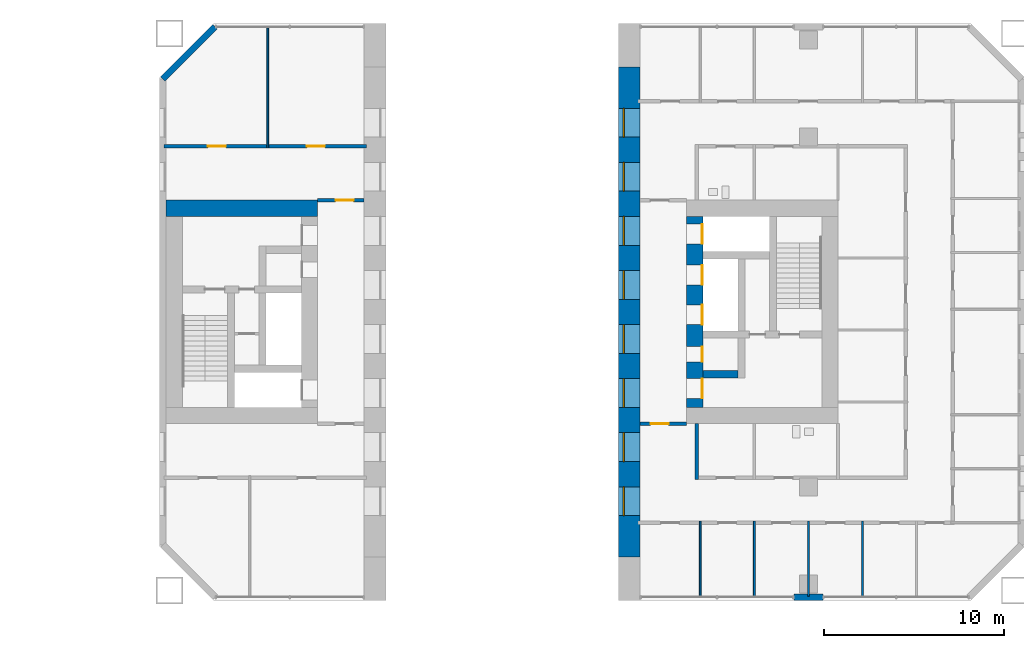
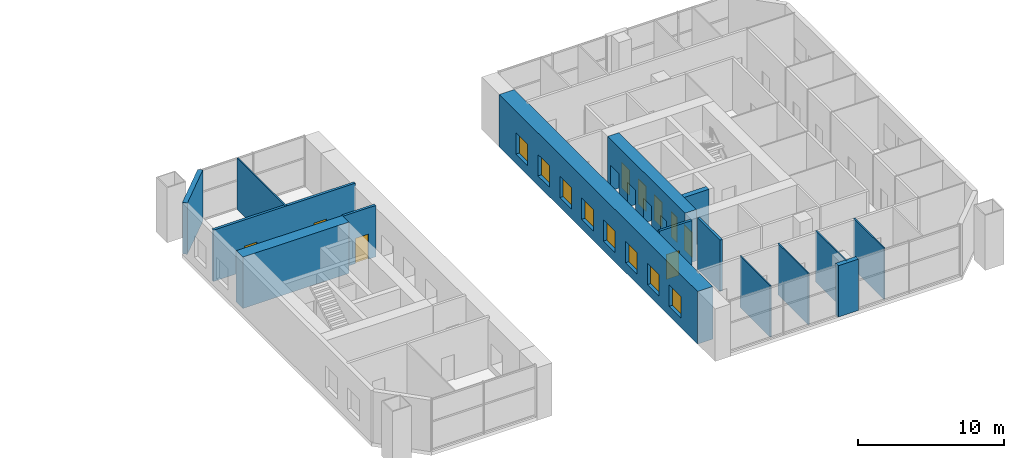
# One storey, part 14 of 19: 15 walls, 9 doors, 8 windows, 17 openings.
"""IFC4 building model written with IfcOpenShell, lengths in metres."""

from ifc_helpers import new_model, si_unit, direction, frame, frame_2d, origin, place, context, subcontext, project, spatial, rectangle, extrude, material, layer, layer_set, type_object, element, fill, save


model = new_model("IFC4")

# Units and contexts
model_context = context("Model", 3, precision=1e-05, world=origin(), true_north=direction((0.0, 1.0)))
body_context = subcontext(model_context, "Body", "Model", "MODEL_VIEW")
ifc_project = project(units=[si_unit("LENGTHUNIT", "METRE"), si_unit("AREAUNIT", "SQUARE_METRE"), si_unit("VOLUMEUNIT", "CUBIC_METRE"), si_unit("PLANEANGLEUNIT", "RADIAN"), si_unit("MASSUNIT", "GRAM", prefix="KILO")], contexts=[model_context])

# Site, building, storey
site_placement = place(None, origin())
site = spatial("IfcSite", under=ifc_project, at=site_placement, CompositionType="ELEMENT")
building_placement = place(site_placement, origin())
building = spatial("IfcBuilding", under=site, at=building_placement, Name="Tuart Gate Housing", CompositionType="ELEMENT")
storey_placement = place(building_placement, frame((0.0, 0.0, 10.10009765625)))
storey = spatial("IfcBuildingStorey", under=building, at=storey_placement, Name="L02", CompositionType="ELEMENT", Elevation=10.10009765625)

# Walls
ifc_material_1 = material(Name="Brick", Category="masonry")
ifc_layer_1 = layer(ifc_material_1, 0.360107421875)
ifc_layer_set_1 = layer_set([ifc_layer_1], Name="Brick pier and spandrel wall 360")
wall_type_1 = type_object("IfcWallType", Name="Brick pier and spandrel wall 360", PredefinedType="STANDARD", material=ifc_layer_set_1)
wall_1_placement = place(storey_placement, frame((166.199951171875, 54.179931640625, 0.0), z_axis=(0.0, 0.0, 1.0), x_axis=(1.0, 0.0, 0.0)))
element("IfcWall", 1, at=wall_1_placement, inside=storey, type_object=wall_type_1, Name="External wall B-S L02", PredefinedType="STANDARD", context=body_context, shape_type="SweptSolid", body=[
    extrude(rectangle(XDim=1.60009765625, YDim=0.360107421875, at=frame_2d((0.800048828125, 0.0))), origin(), (0.0, 0.0, 1.0), 4.2998046875),
])
wall_2_placement = place(storey_placement, frame((134.07470703125, 85.820068359375, 0.0), z_axis=(0.0, 0.0, 1.0), x_axis=(-0.707106781187, -0.707106781187, 0.0)))
element("IfcWall", 2, at=wall_2_placement, inside=storey, type_object=wall_type_1, Name="External wall B-NW L02", PredefinedType="STANDARD", context=body_context, shape_type="SweptSolid", body=[
    extrude(rectangle(XDim=4.09375, YDim=0.360107421875, at=frame_2d((2.046875, 0.0))), origin(), (0.0, 0.0, 1.0), 4.2998046875),
])
ifc_material_2 = material(Name="Concrete C60", Category="concrete")
ifc_layer_2 = layer(ifc_material_2, 0.39990234375)
ifc_layer_set_2 = layer_set([ifc_layer_2], Name="Core wall 400 C60")
wall_type_2 = type_object("IfcWallType", Name="Core wall 400 C60", PredefinedType="SHEAR", material=ifc_layer_set_2)
wall_3_placement = place(storey_placement, frame((161.139892578125, 66.550048828125, 0.0), z_axis=(0.0, 0.0, 1.0), x_axis=(1.0, 0.0, 0.0)))
element("IfcWall", 3, at=wall_3_placement, inside=storey, type_object=wall_type_2, Name="Core wall BK.3", PredefinedType="SHEAR", context=body_context, shape_type="SweptSolid", body=[
    extrude(rectangle(XDim=1.9501953125, YDim=0.39990234375, at=frame_2d((0.97509765625, 0.0))), origin(), (0.0, 0.0, 1.0), 4.2998046875),
])
ifc_material_3 = material(Name="Concrete C60", Category="concrete")
ifc_layer_3 = layer(ifc_material_3, 0.89990234375)
ifc_layer_set_3 = layer_set([ifc_layer_3], Name="Core wall 900 C60")
wall_type_3 = type_object("IfcWallType", Name="Core wall 900 C60", PredefinedType="SHEAR", material=ifc_layer_set_3)
wall_4_placement = place(storey_placement, frame((139.760009765625, 75.75, 0.0), z_axis=(0.0, 0.0, 1.0), x_axis=(-1.0, 0.0, 0.0)))
element("IfcWall", 4, at=wall_4_placement, inside=storey, type_object=wall_type_3, Name="Core wall BG north", PredefinedType="SHEAR", context=body_context, shape_type="SweptSolid", body=[
    extrude(rectangle(XDim=8.39990234375, YDim=0.89990234375, at=frame_2d((4.199951171875, 0.0))), origin(), (0.0, 0.0, 1.0), 4.2998046875),
])

# Wall, openings, doors
wall_5_placement = place(storey_placement, frame((160.68994140625, 75.300048828125, 0.0), z_axis=(0.0, 0.0, 1.0), x_axis=(0.0, -1.0, 0.0)))
wall_5 = element("IfcWall", 5, at=wall_5_placement, inside=storey, type_object=wall_type_3, Name="Core wall BK front", PredefinedType="SHEAR", context=body_context, shape_type="SweptSolid", body=[
    extrude(rectangle(XDim=10.60009765625, YDim=0.89990234375, at=frame_2d((5.300048828125, 0.0))), origin(), (0.0, 0.0, 1.0), 4.2998046875),
])
opening_1_placement = place(wall_5_placement, frame((0.425048828125, 0.0, 0.0)))
opening_1 = element("IfcOpeningElement", 6, at=opening_1_placement, cuts=wall_5, Name="Opening LD-FB2", PredefinedType="OPENING", context=body_context, shape_type="SweptSolid", body=[
    extrude(rectangle(XDim=1.10009765625, YDim=2.10009765625, at=frame_2d((0.550048828125, 1.050048828125))), frame((0.0, 0.4599609375, 0.0), z_axis=(0.0, -1.0, 0.0), x_axis=(1.0, 0.0, 0.0)), (0.0, 0.0, 1.0), 0.919921875),
])
opening_2_placement = place(wall_5_placement, frame((2.699951171875, 0.0, 0.0)))
opening_2 = element("IfcOpeningElement", 7, at=opening_2_placement, cuts=wall_5, Name="Opening LD-LB3", PredefinedType="OPENING", context=body_context, shape_type="SweptSolid", body=[
    extrude(rectangle(XDim=1.10009765625, YDim=2.10009765625, at=frame_2d((0.550048828125, 1.050048828125))), frame((0.0, 0.4599609375, 0.0), z_axis=(0.0, -1.0, 0.0), x_axis=(1.0, 0.0, 0.0)), (0.0, 0.0, 1.0), 0.919921875),
])
opening_3_placement = place(wall_5_placement, frame((4.89990234375, 0.0, 0.0)))
opening_3 = element("IfcOpeningElement", 8, at=opening_3_placement, cuts=wall_5, Name="Opening LD-LB4", PredefinedType="OPENING", context=body_context, shape_type="SweptSolid", body=[
    extrude(rectangle(XDim=1.10009765625, YDim=2.10009765625, at=frame_2d((0.550048828125, 1.050048828125))), frame((0.0, 0.4599609375, 0.0), z_axis=(0.0, -1.0, 0.0), x_axis=(1.0, 0.0, 0.0)), (0.0, 0.0, 1.0), 0.919921875),
])
opening_4_placement = place(wall_5_placement, frame((9.0, 0.0, 0.0)))
opening_4 = element("IfcOpeningElement", 9, at=opening_4_placement, cuts=wall_5, Name="Opening D3218", PredefinedType="OPENING", context=body_context, shape_type="SweptSolid", body=[
    extrude(rectangle(XDim=1.10009765625, YDim=2.10009765625, at=frame_2d((0.550048828125, 1.050048828125))), frame((0.0, 0.4599609375, 0.0), z_axis=(0.0, -1.0, 0.0), x_axis=(1.0, 0.0, 0.0)), (0.0, 0.0, 1.0), 0.919921875),
])
opening_5_placement = place(wall_5_placement, frame((7.22509765625, 0.0, 0.0)))
opening_5 = element("IfcOpeningElement", 10, at=opening_5_placement, cuts=wall_5, Name="Opening D3219", PredefinedType="OPENING", context=body_context, shape_type="SweptSolid", body=[
    extrude(rectangle(XDim=0.85009765625, YDim=2.10009765625, at=frame_2d((0.425048828125, 1.050048828125))), frame((0.0, 0.4599609375, 0.0), z_axis=(0.0, -1.0, 0.0), x_axis=(1.0, 0.0, 0.0)), (0.0, 0.0, 1.0), 0.919921875),
])
ifc_material_4 = material(Name="Stainless steel", Category="steel")
door_type_1 = type_object("IfcDoorType", Name="Landing door 1100 x 2100", OperationType="DOUBLE_DOOR_SLIDING", PredefinedType="DOOR", material=ifc_material_4)
door_1_placement = place(opening_1_placement, origin())
door_1 = element("IfcDoor", 11, at=door_1_placement, inside=storey, type_object=door_type_1, Name="Lift landing door FB2", OperationType="DOUBLE_DOOR_SLIDING", OverallHeight=2.10009765625, OverallWidth=1.10009765625, PredefinedType="DOOR", context=body_context, shape_type="SweptSolid", body=[
    extrude(rectangle(XDim=1.10009765625, YDim=2.10009765625, at=frame_2d((0.550048828125, 1.050048828125))), frame((0.0, 0.43505859375, 0.0), z_axis=(0.0, -1.0, 0.0), x_axis=(1.0, 0.0, 0.0)), (0.0, 0.0, 1.0), 0.050048828125),
])
fill(opening_1, door_1)
door_2_placement = place(opening_2_placement, origin())
door_2 = element("IfcDoor", 12, at=door_2_placement, inside=storey, type_object=door_type_1, Name="Lift landing door LB3", OperationType="DOUBLE_DOOR_SLIDING", OverallHeight=2.10009765625, OverallWidth=1.10009765625, PredefinedType="DOOR", context=body_context, shape_type="SweptSolid", body=[
    extrude(rectangle(XDim=1.10009765625, YDim=2.10009765625, at=frame_2d((0.550048828125, 1.050048828125))), frame((0.0, 0.43505859375, 0.0), z_axis=(0.0, -1.0, 0.0), x_axis=(1.0, 0.0, 0.0)), (0.0, 0.0, 1.0), 0.050048828125),
])
fill(opening_2, door_2)
door_3_placement = place(opening_3_placement, origin())
door_3 = element("IfcDoor", 13, at=door_3_placement, inside=storey, type_object=door_type_1, Name="Lift landing door LB4", OperationType="DOUBLE_DOOR_SLIDING", OverallHeight=2.10009765625, OverallWidth=1.10009765625, PredefinedType="DOOR", context=body_context, shape_type="SweptSolid", body=[
    extrude(rectangle(XDim=1.10009765625, YDim=2.10009765625, at=frame_2d((0.550048828125, 1.050048828125))), frame((0.0, 0.43505859375, 0.0), z_axis=(0.0, -1.0, 0.0), x_axis=(1.0, 0.0, 0.0)), (0.0, 0.0, 1.0), 0.050048828125),
])
fill(opening_3, door_3)
ifc_material_5 = material(Name="Steel fire door", Category="steel")
door_type_2 = type_object("IfcDoorType", Name="Lobby door 1100 x 2100", OperationType="SINGLE_SWING_LEFT", PredefinedType="DOOR", material=ifc_material_5)
door_4_placement = place(opening_4_placement, origin())
door_4 = element("IfcDoor", 14, at=door_4_placement, inside=storey, type_object=door_type_2, Name="Lobby entry door BK.EN", OperationType="SINGLE_SWING_LEFT", OverallHeight=2.10009765625, OverallWidth=1.10009765625, PredefinedType="DOOR", context=body_context, shape_type="SweptSolid", body=[
    extrude(rectangle(XDim=1.10009765625, YDim=2.10009765625, at=frame_2d((0.550048828125, 1.050048828125))), frame((0.0, 0.43505859375, 0.0), z_axis=(0.0, -1.0, 0.0), x_axis=(1.0, 0.0, 0.0)), (0.0, 0.0, 1.0), 0.050048828125),
])
fill(opening_4, door_4)
ifc_material_6 = material(Name="Steel fire door", Category="steel")
door_type_3 = type_object("IfcDoorType", Name="Service door 850 x 2100", OperationType="SINGLE_SWING_LEFT", PredefinedType="DOOR", material=ifc_material_6)
door_5_placement = place(opening_5_placement, origin())
door_5 = element("IfcDoor", 15, at=door_5_placement, inside=storey, type_object=door_type_3, Name="Service room door BK.T1", OperationType="SINGLE_SWING_LEFT", OverallHeight=2.10009765625, OverallWidth=0.85009765625, PredefinedType="DOOR", context=body_context, shape_type="SweptSolid", body=[
    extrude(rectangle(XDim=0.85009765625, YDim=2.10009765625, at=frame_2d((0.425048828125, 1.050048828125))), frame((0.0, 0.43505859375, 0.0), z_axis=(0.0, -1.0, 0.0), x_axis=(1.0, 0.0, 0.0)), (0.0, 0.0, 1.0), 0.050048828125),
])
fill(opening_5, door_5)

ifc_material_7 = material(Name="Concrete masonry 15 MPa", Category="masonry")
ifc_layer_4 = layer(ifc_material_7, 0.199951171875)
ifc_layer_set_4 = layer_set([ifc_layer_4], Name="Corridor wall masonry 200")
wall_type_4 = type_object("IfcWallType", Name="Corridor wall masonry 200", PredefinedType="PARTITIONING", material=ifc_layer_set_4)
wall_6_placement = place(storey_placement, frame((131.239990234375, 79.199951171875, 0.0), z_axis=(0.0, 0.0, 1.0), x_axis=(1.0, 0.0, 0.0)))
wall_6 = element("IfcWall", 16, at=wall_6_placement, inside=storey, type_object=wall_type_4, Name="Corridor wall masonry 200", PredefinedType="PARTITIONING", context=body_context, shape_type="SweptSolid", body=[
    extrude(rectangle(XDim=11.22998046875, YDim=0.199951171875, at=frame_2d((5.614990234375, 0.0))), origin(), (0.0, 0.0, 1.0), 4.2998046875),
])
opening_6_placement = place(wall_6_placement, frame((2.43994140625, 0.0, 0.0)))
opening_6 = element("IfcOpeningElement", 17, at=opening_6_placement, cuts=wall_6, Name="Opening D3208", PredefinedType="OPENING", context=body_context, shape_type="SweptSolid", body=[
    extrude(rectangle(XDim=1.0, YDim=2.10009765625, at=frame_2d((0.5, 1.050048828125))), frame((0.0, 0.10986328125, 0.0), z_axis=(0.0, -1.0, 0.0), x_axis=(1.0, 0.0, 0.0)), (0.0, 0.0, 1.0), 0.219970703125),
])
opening_7_placement = place(wall_6_placement, frame((7.93505859375, 0.0, 0.0)))
opening_7 = element("IfcOpeningElement", 18, at=opening_7_placement, cuts=wall_6, Name="Opening D3209", PredefinedType="OPENING", context=body_context, shape_type="SweptSolid", body=[
    extrude(rectangle(XDim=1.0, YDim=2.10009765625, at=frame_2d((0.5, 1.050048828125))), frame((0.0, 0.10986328125, 0.0), z_axis=(0.0, -1.0, 0.0), x_axis=(1.0, 0.0, 0.0)), (0.0, 0.0, 1.0), 0.219970703125),
])
ifc_material_8 = material(Name="Timber door leaf in steel frame", Category="steel")
door_type_4 = type_object("IfcDoorType", Name="Fire door 1000", OperationType="SINGLE_SWING_LEFT", PredefinedType="DOOR", material=ifc_material_8)
door_6_placement = place(opening_6_placement, origin())
door_6 = element("IfcDoor", 19, at=door_6_placement, inside=storey, type_object=door_type_4, Name="Fire door 1000", OperationType="SINGLE_SWING_LEFT", OverallHeight=2.10009765625, OverallWidth=1.0, PredefinedType="DOOR", context=body_context, shape_type="SweptSolid", body=[
    extrude(rectangle(XDim=1.0, YDim=2.10009765625, at=frame_2d((0.5, 1.050048828125))), frame((0.0, 0.02490234375, 0.0), z_axis=(0.0, -1.0, 0.0), x_axis=(1.0, 0.0, 0.0)), (0.0, 0.0, 1.0), 0.050048828125),
])
fill(opening_6, door_6)
door_7_placement = place(opening_7_placement, origin())
door_7 = element("IfcDoor", 20, at=door_7_placement, inside=storey, type_object=door_type_4, Name="Fire door 1000", OperationType="SINGLE_SWING_LEFT", OverallHeight=2.10009765625, OverallWidth=1.0, PredefinedType="DOOR", context=body_context, shape_type="SweptSolid", body=[
    extrude(rectangle(XDim=1.0, YDim=2.10009765625, at=frame_2d((0.5, 1.050048828125))), frame((0.0, 0.02490234375, 0.0), z_axis=(0.0, -1.0, 0.0), x_axis=(1.0, 0.0, 0.0)), (0.0, 0.0, 1.0), 0.050048828125),
])
fill(opening_7, door_7)

# Wall
wall_7_placement = place(storey_placement, frame((160.800048828125, 60.699951171875, 0.0), z_axis=(0.0, 0.0, 1.0), x_axis=(0.0, 1.0, 0.0)))
element("IfcWall", 21, at=wall_7_placement, inside=storey, type_object=wall_type_4, Name="Corridor wall masonry 200", PredefinedType="PARTITIONING", context=body_context, shape_type="SweptSolid", body=[
    extrude(rectangle(XDim=3.10009765625, YDim=0.199951171875, at=frame_2d((1.550048828125, 0.0))), origin(), (0.0, 0.0, 1.0), 4.2998046875),
])

# Wall, opening, door
ifc_material_9 = material(Name="Concrete masonry 15 MPa", Category="masonry")
ifc_layer_5 = layer(ifc_material_9, 0.199951171875)
ifc_layer_set_5 = layer_set([ifc_layer_5], Name="Enclosure wall masonry 200")
wall_type_5 = type_object("IfcWallType", Name="Enclosure wall masonry 200", PredefinedType="PARTITIONING", material=ifc_layer_set_5)
wall_8_placement = place(storey_placement, frame((157.64990234375, 63.800048828125, 0.0), z_axis=(0.0, 0.0, 1.0), x_axis=(1.0, 0.0, 0.0)))
wall_8 = element("IfcWall", 22, at=wall_8_placement, inside=storey, type_object=wall_type_5, Name="Enclosure wall masonry 200", PredefinedType="PARTITIONING", context=body_context, shape_type="SweptSolid", body=[
    extrude(rectangle(XDim=2.590087890625, YDim=0.199951171875, at=frame_2d((1.294921875, 0.0))), origin(), (0.0, 0.0, 1.0), 4.2998046875),
])
opening_8_placement = place(wall_8_placement, frame((0.590087890625, 0.0, 0.0)))
opening_8 = element("IfcOpeningElement", 23, at=opening_8_placement, cuts=wall_8, Name="Opening D3234", PredefinedType="OPENING", context=body_context, shape_type="SweptSolid", body=[
    extrude(rectangle(XDim=1.0, YDim=2.10009765625, at=frame_2d((0.5, 1.050048828125))), frame((0.0, 0.10986328125, 0.0), z_axis=(0.0, -1.0, 0.0), x_axis=(1.0, 0.0, 0.0)), (0.0, 0.0, 1.0), 0.219970703125),
])
ifc_material_10 = material(Name="Timber door leaf in steel frame", Category="steel")
door_type_5 = type_object("IfcDoorType", Name="Lobby door 1000 RH", OperationType="SINGLE_SWING_RIGHT", PredefinedType="DOOR", material=ifc_material_10)
door_8_placement = place(opening_8_placement, frame((1.0, 0.0, 0.0), z_axis=(0.0, 0.0, 1.0), x_axis=(-1.0, 0.0, 0.0)))
door_8 = element("IfcDoor", 24, at=door_8_placement, inside=storey, type_object=door_type_5, Name="Lobby door 1000", OperationType="SINGLE_SWING_RIGHT", OverallHeight=2.10009765625, OverallWidth=1.0, PredefinedType="DOOR", context=body_context, shape_type="SweptSolid", body=[
    extrude(rectangle(XDim=1.0, YDim=2.10009765625, at=frame_2d((0.5, 1.050048828125))), frame((0.0, 0.025146484375, 0.0), z_axis=(0.0, -1.0, 0.0), x_axis=(1.0, 0.0, 0.0)), (0.0, 0.0, 1.0), 0.050048828125),
])
fill(opening_8, door_8)

wall_9_placement = place(storey_placement, frame((139.760009765625, 76.199951171875, 0.0), z_axis=(0.0, 0.0, 1.0), x_axis=(1.0, 0.0, 0.0)))
wall_9 = element("IfcWall", 25, at=wall_9_placement, inside=storey, type_object=wall_type_5, Name="Enclosure wall masonry 200", PredefinedType="PARTITIONING", context=body_context, shape_type="SweptSolid", body=[
    extrude(rectangle(XDim=2.590087890625, YDim=0.199951171875, at=frame_2d((1.294921875, 0.0))), origin(), (0.0, 0.0, 1.0), 4.2998046875),
])
opening_9_placement = place(wall_9_placement, frame((1.0, 0.0, 0.0)))
opening_9 = element("IfcOpeningElement", 26, at=opening_9_placement, cuts=wall_9, Name="Opening D3212", PredefinedType="OPENING", context=body_context, shape_type="SweptSolid", body=[
    extrude(rectangle(XDim=1.0, YDim=2.10009765625, at=frame_2d((0.5, 1.050048828125))), frame((0.0, 0.10986328125, 0.0), z_axis=(0.0, -1.0, 0.0), x_axis=(1.0, 0.0, 0.0)), (0.0, 0.0, 1.0), 0.219970703125),
])
ifc_material_11 = material(Name="Timber door leaf in steel frame", Category="steel")
door_type_6 = type_object("IfcDoorType", Name="Lobby door 1000", OperationType="SINGLE_SWING_LEFT", PredefinedType="DOOR", material=ifc_material_11)
door_9_placement = place(opening_9_placement, frame((1.0, 0.0, 0.0), z_axis=(0.0, 0.0, 1.0), x_axis=(-1.0, 0.0, 0.0)))
door_9 = element("IfcDoor", 27, at=door_9_placement, inside=storey, type_object=door_type_6, Name="Lobby door 1000", OperationType="SINGLE_SWING_LEFT", OverallHeight=2.10009765625, OverallWidth=1.0, PredefinedType="DOOR", context=body_context, shape_type="SweptSolid", body=[
    extrude(rectangle(XDim=1.0, YDim=2.10009765625, at=frame_2d((0.5, 1.050048828125))), frame((0.0, 0.025146484375, 0.0), z_axis=(0.0, -1.0, 0.0), x_axis=(1.0, 0.0, 0.0)), (0.0, 0.0, 1.0), 0.050048828125),
])
fill(opening_9, door_9)

# Walls
ifc_material_12 = material(Name="Gypsum board on steel studs", Category="steel")
ifc_layer_6 = layer(ifc_material_12, 0.10009765625)
ifc_layer_set_6 = layer_set([ifc_layer_6], Name="Partition 100")
wall_type_6 = type_object("IfcWallType", Name="Partition 100", PredefinedType="PARTITIONING", material=ifc_layer_set_6)
wall_10_placement = place(storey_placement, frame((137.0, 79.10009765625, 0.0), z_axis=(0.0, 0.0, 1.0), x_axis=(0.0, 1.0, 0.0)))
element("IfcWall", 28, at=wall_10_placement, inside=storey, type_object=wall_type_6, Name="Partition 100", PredefinedType="PARTITIONING", context=body_context, shape_type="SweptSolid", body=[
    extrude(rectangle(XDim=6.659912109375, YDim=0.10009765625, at=frame_2d((3.330078125, 0.0))), origin(), (0.0, 0.0, 1.0), 4.2998046875),
])
for number, where, z_axis, x_axis, name in (
    (29, (161.0, 54.239990234375, 0.0), (0.0, 0.0, 1.0), (0.0, 1.0, 0.0), "Partition 100"),
    (30, (164.0, 54.239990234375, 0.0), (0.0, 0.0, 1.0), (0.0, 1.0, 0.0), "Partition 100"),
    (31, (167.0, 54.239990234375, 0.0), (0.0, 0.0, 1.0), (0.0, 1.0, 0.0), "Partition 100"),
    (32, (170.0, 54.239990234375, 0.0), (0.0, 0.0, 1.0), (0.0, 1.0, 0.0), "Partition 100"),
):
    element("IfcWall", number, at=place(storey_placement, frame(where, z_axis=z_axis, x_axis=x_axis)), inside=storey, type_object=wall_type_6, Name=name, PredefinedType="PARTITIONING", context=body_context, shape_type="SweptSolid", body=[
        extrude(rectangle(XDim=4.159912109375, YDim=0.10009765625, at=frame_2d((2.080078125, 0.0))), origin(), (0.0, 0.0, 1.0), 4.2998046875),
    ])

# Wall, openings, windows
ifc_material_13 = material(Name="Concrete C60", Category="concrete")
ifc_layer_7 = layer(ifc_material_13, 1.199951171875)
ifc_layer_set_7 = layer_set([ifc_layer_7], Name="RC wall 1200 C60")
wall_type_7 = type_object("IfcWallType", Name="RC wall 1200 C60", PredefinedType="SHEAR", material=ifc_layer_set_7)
wall_11_placement = place(storey_placement, frame((157.050048828125, 56.39990234375, -0.300048828125), z_axis=(0.0, 0.0, 1.0), x_axis=(0.0, 1.0, 0.0)))
wall_11 = element("IfcWall", 33, at=wall_11_placement, inside=storey, type_object=wall_type_7, Name="Pier wall BE L02", PredefinedType="SHEAR", context=body_context, shape_type="SweptSolid", body=[
    extrude(rectangle(XDim=27.2001953125, YDim=1.199951171875, at=frame_2d((13.60009765625, 0.0))), origin(), (0.0, 0.0, 1.0), 4.39990234375),
])
opening_10_placement = place(wall_11_placement, frame((2.300048828125, 0.0, 0.800048828125)))
opening_10 = element("IfcOpeningElement", 34, at=opening_10_placement, cuts=wall_11, Name="Opening W1", PredefinedType="OPENING", context=body_context, shape_type="SweptSolid", body=[
    extrude(rectangle(XDim=1.60009765625, YDim=1.800048828125, at=frame_2d((0.800048828125, 0.89990234375))), frame((0.0, 0.60986328125, 0.0), z_axis=(0.0, -1.0, 0.0), x_axis=(1.0, 0.0, 0.0)), (0.0, 0.0, 1.0), 1.219970703125),
])
opening_11_placement = place(wall_11_placement, frame((5.300048828125, 0.0, 0.800048828125)))
opening_11 = element("IfcOpeningElement", 35, at=opening_11_placement, cuts=wall_11, Name="Opening W1", PredefinedType="OPENING", context=body_context, shape_type="SweptSolid", body=[
    extrude(rectangle(XDim=1.60009765625, YDim=1.800048828125, at=frame_2d((0.800048828125, 0.89990234375))), frame((0.0, 0.60986328125, 0.0), z_axis=(0.0, -1.0, 0.0), x_axis=(1.0, 0.0, 0.0)), (0.0, 0.0, 1.0), 1.219970703125),
])
opening_12_placement = place(wall_11_placement, frame((8.300048828125, 0.0, 0.800048828125)))
opening_12 = element("IfcOpeningElement", 36, at=opening_12_placement, cuts=wall_11, Name="Opening W1", PredefinedType="OPENING", context=body_context, shape_type="SweptSolid", body=[
    extrude(rectangle(XDim=1.60009765625, YDim=1.800048828125, at=frame_2d((0.800048828125, 0.89990234375))), frame((0.0, 0.60986328125, 0.0), z_axis=(0.0, -1.0, 0.0), x_axis=(1.0, 0.0, 0.0)), (0.0, 0.0, 1.0), 1.219970703125),
])
opening_13_placement = place(wall_11_placement, frame((11.300048828125, 0.0, 0.800048828125)))
opening_13 = element("IfcOpeningElement", 37, at=opening_13_placement, cuts=wall_11, Name="Opening W1", PredefinedType="OPENING", context=body_context, shape_type="SweptSolid", body=[
    extrude(rectangle(XDim=1.60009765625, YDim=1.800048828125, at=frame_2d((0.800048828125, 0.89990234375))), frame((0.0, 0.60986328125, 0.0), z_axis=(0.0, -1.0, 0.0), x_axis=(1.0, 0.0, 0.0)), (0.0, 0.0, 1.0), 1.219970703125),
])
opening_14_placement = place(wall_11_placement, frame((14.300048828125, 0.0, 0.800048828125)))
opening_14 = element("IfcOpeningElement", 38, at=opening_14_placement, cuts=wall_11, Name="Opening W1", PredefinedType="OPENING", context=body_context, shape_type="SweptSolid", body=[
    extrude(rectangle(XDim=1.60009765625, YDim=1.800048828125, at=frame_2d((0.800048828125, 0.89990234375))), frame((0.0, 0.60986328125, 0.0), z_axis=(0.0, -1.0, 0.0), x_axis=(1.0, 0.0, 0.0)), (0.0, 0.0, 1.0), 1.219970703125),
])
opening_15_placement = place(wall_11_placement, frame((17.300048828125, 0.0, 0.800048828125)))
opening_15 = element("IfcOpeningElement", 39, at=opening_15_placement, cuts=wall_11, Name="Opening W1", PredefinedType="OPENING", context=body_context, shape_type="SweptSolid", body=[
    extrude(rectangle(XDim=1.60009765625, YDim=1.800048828125, at=frame_2d((0.800048828125, 0.89990234375))), frame((0.0, 0.60986328125, 0.0), z_axis=(0.0, -1.0, 0.0), x_axis=(1.0, 0.0, 0.0)), (0.0, 0.0, 1.0), 1.219970703125),
])
opening_16_placement = place(wall_11_placement, frame((20.300048828125, 0.0, 0.800048828125)))
opening_16 = element("IfcOpeningElement", 40, at=opening_16_placement, cuts=wall_11, Name="Opening W1", PredefinedType="OPENING", context=body_context, shape_type="SweptSolid", body=[
    extrude(rectangle(XDim=1.60009765625, YDim=1.800048828125, at=frame_2d((0.800048828125, 0.89990234375))), frame((0.0, 0.60986328125, 0.0), z_axis=(0.0, -1.0, 0.0), x_axis=(1.0, 0.0, 0.0)), (0.0, 0.0, 1.0), 1.219970703125),
])
opening_17_placement = place(wall_11_placement, frame((23.300048828125, 0.0, 0.800048828125)))
opening_17 = element("IfcOpeningElement", 41, at=opening_17_placement, cuts=wall_11, Name="Opening W1", PredefinedType="OPENING", context=body_context, shape_type="SweptSolid", body=[
    extrude(rectangle(XDim=1.60009765625, YDim=1.800048828125, at=frame_2d((0.800048828125, 0.89990234375))), frame((0.0, 0.60986328125, 0.0), z_axis=(0.0, -1.0, 0.0), x_axis=(1.0, 0.0, 0.0)), (0.0, 0.0, 1.0), 1.219970703125),
])
ifc_material_14 = material(Name="Aluminium frame with clear glass", Category="aluminium")
window_type = type_object("IfcWindowType", Name="Punched window 1600 x 1800", PartitioningType="SINGLE_PANEL", PredefinedType="WINDOW", material=ifc_material_14)
window_1_placement = place(opening_10_placement, origin())
window_1 = element("IfcWindow", 42, at=window_1_placement, inside=storey, type_object=window_type, Name="Window W1", OverallHeight=1.800048828125, OverallWidth=1.60009765625, PartitioningType="SINGLE_PANEL", PredefinedType="WINDOW", context=body_context, shape_type="SweptSolid", body=[
    extrude(rectangle(XDim=1.60009765625, YDim=1.800048828125, at=frame_2d((0.800048828125, 0.89990234375))), frame((0.0, 0.330078125, 0.0), z_axis=(0.0, -1.0, 0.0), x_axis=(1.0, 0.0, 0.0)), (0.0, 0.0, 1.0), 0.06005859375),
])
fill(opening_10, window_1)
window_2_placement = place(opening_11_placement, origin())
window_2 = element("IfcWindow", 43, at=window_2_placement, inside=storey, type_object=window_type, Name="Window W1", OverallHeight=1.800048828125, OverallWidth=1.60009765625, PartitioningType="SINGLE_PANEL", PredefinedType="WINDOW", context=body_context, shape_type="SweptSolid", body=[
    extrude(rectangle(XDim=1.60009765625, YDim=1.800048828125, at=frame_2d((0.800048828125, 0.89990234375))), frame((0.0, 0.330078125, 0.0), z_axis=(0.0, -1.0, 0.0), x_axis=(1.0, 0.0, 0.0)), (0.0, 0.0, 1.0), 0.06005859375),
])
fill(opening_11, window_2)
window_3_placement = place(opening_12_placement, origin())
window_3 = element("IfcWindow", 44, at=window_3_placement, inside=storey, type_object=window_type, Name="Window W1", OverallHeight=1.800048828125, OverallWidth=1.60009765625, PartitioningType="SINGLE_PANEL", PredefinedType="WINDOW", context=body_context, shape_type="SweptSolid", body=[
    extrude(rectangle(XDim=1.60009765625, YDim=1.800048828125, at=frame_2d((0.800048828125, 0.89990234375))), frame((0.0, 0.330078125, 0.0), z_axis=(0.0, -1.0, 0.0), x_axis=(1.0, 0.0, 0.0)), (0.0, 0.0, 1.0), 0.06005859375),
])
fill(opening_12, window_3)
window_4_placement = place(opening_13_placement, origin())
window_4 = element("IfcWindow", 45, at=window_4_placement, inside=storey, type_object=window_type, Name="Window W1", OverallHeight=1.800048828125, OverallWidth=1.60009765625, PartitioningType="SINGLE_PANEL", PredefinedType="WINDOW", context=body_context, shape_type="SweptSolid", body=[
    extrude(rectangle(XDim=1.60009765625, YDim=1.800048828125, at=frame_2d((0.800048828125, 0.89990234375))), frame((0.0, 0.330078125, 0.0), z_axis=(0.0, -1.0, 0.0), x_axis=(1.0, 0.0, 0.0)), (0.0, 0.0, 1.0), 0.06005859375),
])
fill(opening_13, window_4)
window_5_placement = place(opening_14_placement, origin())
window_5 = element("IfcWindow", 46, at=window_5_placement, inside=storey, type_object=window_type, Name="Window W1", OverallHeight=1.800048828125, OverallWidth=1.60009765625, PartitioningType="SINGLE_PANEL", PredefinedType="WINDOW", context=body_context, shape_type="SweptSolid", body=[
    extrude(rectangle(XDim=1.60009765625, YDim=1.800048828125, at=frame_2d((0.800048828125, 0.89990234375))), frame((0.0, 0.330078125, 0.0), z_axis=(0.0, -1.0, 0.0), x_axis=(1.0, 0.0, 0.0)), (0.0, 0.0, 1.0), 0.06005859375),
])
fill(opening_14, window_5)
window_6_placement = place(opening_15_placement, origin())
window_6 = element("IfcWindow", 47, at=window_6_placement, inside=storey, type_object=window_type, Name="Window W1", OverallHeight=1.800048828125, OverallWidth=1.60009765625, PartitioningType="SINGLE_PANEL", PredefinedType="WINDOW", context=body_context, shape_type="SweptSolid", body=[
    extrude(rectangle(XDim=1.60009765625, YDim=1.800048828125, at=frame_2d((0.800048828125, 0.89990234375))), frame((0.0, 0.330078125, 0.0), z_axis=(0.0, -1.0, 0.0), x_axis=(1.0, 0.0, 0.0)), (0.0, 0.0, 1.0), 0.06005859375),
])
fill(opening_15, window_6)
window_7_placement = place(opening_16_placement, origin())
window_7 = element("IfcWindow", 48, at=window_7_placement, inside=storey, type_object=window_type, Name="Window W1", OverallHeight=1.800048828125, OverallWidth=1.60009765625, PartitioningType="SINGLE_PANEL", PredefinedType="WINDOW", context=body_context, shape_type="SweptSolid", body=[
    extrude(rectangle(XDim=1.60009765625, YDim=1.800048828125, at=frame_2d((0.800048828125, 0.89990234375))), frame((0.0, 0.330078125, 0.0), z_axis=(0.0, -1.0, 0.0), x_axis=(1.0, 0.0, 0.0)), (0.0, 0.0, 1.0), 0.06005859375),
])
fill(opening_16, window_7)
window_8_placement = place(opening_17_placement, origin())
window_8 = element("IfcWindow", 49, at=window_8_placement, inside=storey, type_object=window_type, Name="Window W1", OverallHeight=1.800048828125, OverallWidth=1.60009765625, PartitioningType="SINGLE_PANEL", PredefinedType="WINDOW", context=body_context, shape_type="SweptSolid", body=[
    extrude(rectangle(XDim=1.60009765625, YDim=1.800048828125, at=frame_2d((0.800048828125, 0.89990234375))), frame((0.0, 0.330078125, 0.0), z_axis=(0.0, -1.0, 0.0), x_axis=(1.0, 0.0, 0.0)), (0.0, 0.0, 1.0), 0.06005859375),
])
fill(opening_17, window_8)

save(model, "model.ifc")
